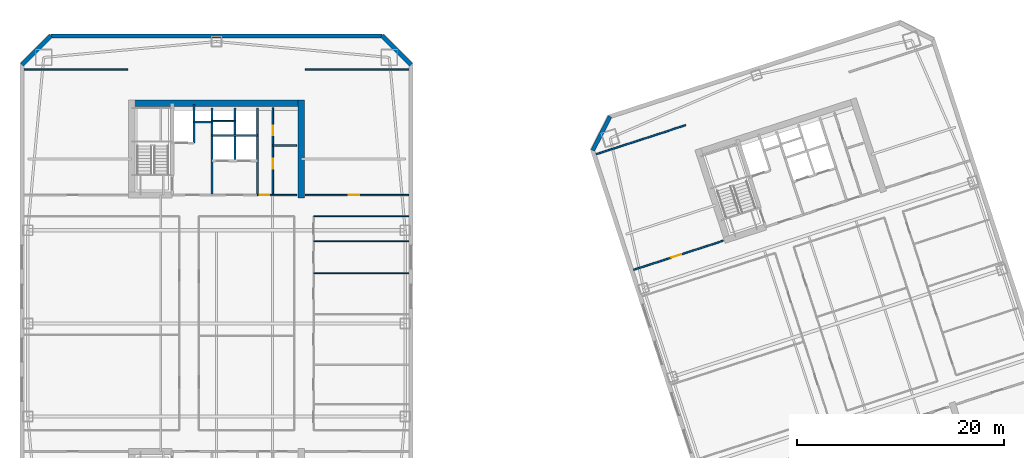
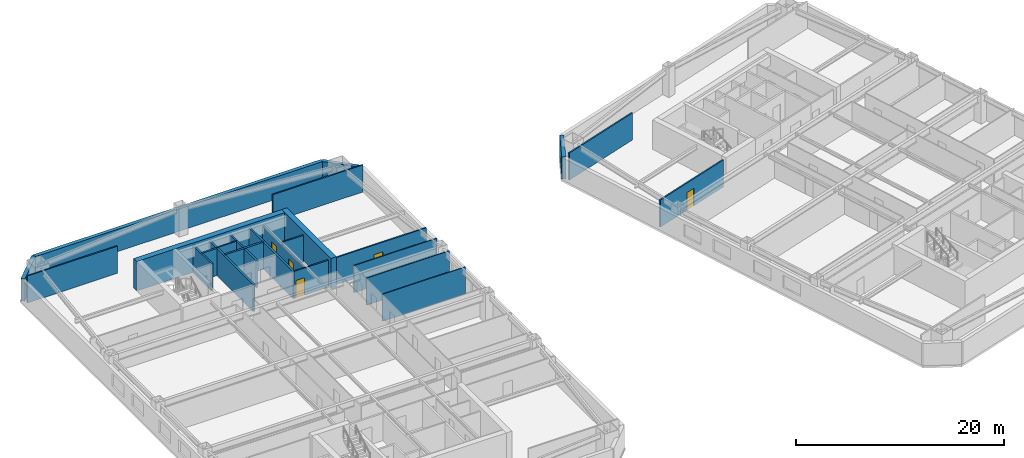
# One storey, part 5 of 10: 24 walls, 5 doors, 5 openings.
"""IFC4 building model written with IfcOpenShell, lengths in metres."""

from ifc_helpers import new_model, si_unit, direction, frame, frame_2d, origin, place, context, subcontext, project, spatial, rectangle, extrude, material, layer, layer_set, type_object, element, fill, save


model = new_model("IFC4")

# Units and contexts
model_context = context("Model", 3, precision=1e-05, world=origin(), true_north=direction((0.0, 1.0)))
body_context = subcontext(model_context, "Body", "Model", "MODEL_VIEW")
ifc_project = project(units=[si_unit("LENGTHUNIT", "METRE"), si_unit("AREAUNIT", "SQUARE_METRE"), si_unit("VOLUMEUNIT", "CUBIC_METRE"), si_unit("PLANEANGLEUNIT", "RADIAN"), si_unit("MASSUNIT", "GRAM", prefix="KILO")], contexts=[model_context])

# Site, building, storey
site_placement = place(None, origin())
site = spatial("IfcSite", under=ifc_project, at=site_placement, CompositionType="ELEMENT")
building_placement = place(site_placement, origin())
building = spatial("IfcBuilding", under=site, at=building_placement, Name="Qiaolan Cultural Towers", CompositionType="ELEMENT")
storey_placement = place(building_placement, frame((0.0, 0.0, 127.64990234375)))
storey = spatial("IfcBuildingStorey", under=building, at=storey_placement, Name="L33", CompositionType="ELEMENT", Elevation=127.64990234375)

# Walls
ifc_material_1 = material(Name="Concrete C55", Category="concrete")
ifc_layer_1 = layer(ifc_material_1, 0.60009765625)
ifc_layer_set_1 = layer_set([ifc_layer_1], Name="Concrete C55")
wall_type_1 = type_object("IfcWallType", Name="WL-CORE-600", PredefinedType="SHEAR", material=ifc_layer_set_1)
wall_1_placement = place(storey_placement, frame((21.5, 55.280029296875, 0.0), z_axis=(0.0, 0.0, 1.0), x_axis=(1.0, 0.0, 0.0)))
element("IfcWall", 1, at=wall_1_placement, inside=storey, type_object=wall_type_1, Name="L33 T1-CN Outer Core Shear Wall", PredefinedType="SHEAR", context=body_context, shape_type="SweptSolid", body=[
    extrude(rectangle(XDim=17.0, YDim=0.60009765625, at=frame_2d((8.5, 0.0))), origin(), (0.0, 0.0, 1.0), 3.4501953125),
])
wall_2_placement = place(storey_placement, frame((38.199951171875, 46.10009765625, 0.0), z_axis=(0.0, 0.0, 1.0), x_axis=(0.0, 1.0, 0.0)))
element("IfcWall", 2, at=wall_2_placement, inside=storey, type_object=wall_type_1, Name="L33 T1-CN East Core Shear Wall", PredefinedType="SHEAR", context=body_context, shape_type="SweptSolid", body=[
    extrude(rectangle(XDim=9.47998046875, YDim=0.60009765625, at=frame_2d((4.739990234375, 0.0))), origin(), (0.0, 0.0, 1.0), 3.4501953125),
])
ifc_material_2 = material(Name="Precast Concrete C50 Honed Stone Pier", Category="masonry")
ifc_layer_2 = layer(ifc_material_2, 0.39990234375)
ifc_layer_set_2 = layer_set([ifc_layer_2], Name="Precast Concrete C50 Honed Stone Pier")
wall_type_2 = type_object("IfcWallType", Name="WL-EXT-PIER-400", PredefinedType="SOLIDWALL", material=ifc_layer_set_2)
wall_3_placement = place(storey_placement, frame((11.199951171875, 59.0, 0.0), z_axis=(0.0, 0.0, 1.0), x_axis=(0.707106781187, 0.707106781187, 0.0)))
element("IfcWall", 3, at=wall_3_placement, inside=storey, type_object=wall_type_2, Name="L33 West Tower Precast Pier Facade Wall F2", PredefinedType="SOLIDWALL", context=body_context, shape_type="SweptSolid", body=[
    extrude(rectangle(XDim=3.9599609375, YDim=0.39990234375, at=frame_2d((1.97998046875, 0.0))), origin(), (0.0, 0.0, 1.0), 2.610107421875),
])
wall_4_placement = place(storey_placement, frame((14.0, 61.800048828125, 0.0), z_axis=(0.0, 0.0, 1.0), x_axis=(1.0, 0.0, 0.0)))
element("IfcWall", 4, at=wall_4_placement, inside=storey, type_object=wall_type_2, Name="L33 West Tower Precast Pier Facade Wall F3", PredefinedType="SOLIDWALL", context=body_context, shape_type="SweptSolid", body=[
    extrude(rectangle(XDim=32.0, YDim=0.39990234375, at=frame_2d((16.0, 0.0))), origin(), (0.0, 0.0, 1.0), 2.610107421875),
])
wall_5_placement = place(storey_placement, frame((46.0, 61.800048828125, 0.0), z_axis=(0.0, 0.0, 1.0), x_axis=(0.707106781187, -0.707106781187, 0.0)))
element("IfcWall", 5, at=wall_5_placement, inside=storey, type_object=wall_type_2, Name="L33 West Tower Precast Pier Facade Wall F4", PredefinedType="SOLIDWALL", context=body_context, shape_type="SweptSolid", body=[
    extrude(rectangle(XDim=3.9599609375, YDim=0.39990234375, at=frame_2d((1.97998046875, 0.0))), origin(), (0.0, 0.0, 1.0), 2.610107421875),
])
wall_6_placement = place(storey_placement, frame((66.37744140625, 50.718505859375, 0.0), z_axis=(0.0, 0.0, 1.0), x_axis=(0.454026238093, 0.890988313685, 0.0)))
element("IfcWall", 6, at=wall_6_placement, inside=storey, type_object=wall_type_2, Name="L33 East Tower Precast Pier Facade Wall F2", PredefinedType="SOLIDWALL", context=body_context, shape_type="SweptSolid", body=[
    extrude(rectangle(XDim=3.677001953125, YDim=0.39990234375, at=frame_2d((1.83837890625, 0.0))), origin(), (0.0, 0.0, 1.0), 2.610107421875),
])
ifc_material_3 = material(Name="Concrete C35 Fire Wall", Category="concrete")
ifc_layer_3 = layer(ifc_material_3, 0.199951171875)
ifc_layer_set_3 = layer_set([ifc_layer_3], Name="Concrete C35 Fire Wall")
wall_type_3 = type_object("IfcWallType", Name="WL-FIRE-200", PredefinedType="PARTITIONING", material=ifc_layer_set_3)
wall_7_placement = place(storey_placement, frame((29.550048828125, 46.39990234375, 0.0), z_axis=(0.0, 0.0, 1.0), x_axis=(0.0, 1.0, 0.0)))
element("IfcWall", 7, at=wall_7_placement, inside=storey, type_object=wall_type_3, Name="L33 T1-CN Firefighting Zone Wall", PredefinedType="PARTITIONING", context=body_context, shape_type="SweptSolid", body=[
    extrude(rectangle(XDim=8.43017578125, YDim=0.199951171875, at=frame_2d((4.215087890625, 0.0))), origin(), (0.0, 0.0, 1.0), 3.175048828125),
])
wall_8_placement = place(storey_placement, frame((27.820068359375, 51.449951171875, 0.0), z_axis=(0.0, 0.0, 1.0), x_axis=(0.0, 1.0, 0.0)))
element("IfcWall", 8, at=wall_8_placement, inside=storey, type_object=wall_type_3, Name="L33 T1-CN Firefighting Hoistway East Wall", PredefinedType="PARTITIONING", context=body_context, shape_type="SweptSolid", body=[
    extrude(rectangle(XDim=3.699951171875, YDim=0.199951171875, at=frame_2d((1.85009765625, 0.0))), origin(), (0.0, 0.0, 1.0), 3.175048828125),
])
wall_9_placement = place(storey_placement, frame((27.820068359375, 53.47998046875, 0.0), z_axis=(0.0, 0.0, 1.0), x_axis=(1.0, 0.0, 0.0)))
element("IfcWall", 9, at=wall_9_placement, inside=storey, type_object=wall_type_3, Name="L33 T1-CN Pressurization Shaft Front Wall", PredefinedType="PARTITIONING", context=body_context, shape_type="SweptSolid", body=[
    extrude(rectangle(XDim=1.72998046875, YDim=0.199951171875, at=frame_2d((0.864990234375, 0.0))), origin(), (0.0, 0.0, 1.0), 3.175048828125),
])
wall_10_placement = place(storey_placement, frame((33.949951171875, 46.39990234375, 0.0), z_axis=(0.0, 0.0, 1.0), x_axis=(0.0, 1.0, 0.0)))
element("IfcWall", 10, at=wall_10_placement, inside=storey, type_object=wall_type_3, Name="L33 T1-CN Lift Core East Wall", PredefinedType="PARTITIONING", context=body_context, shape_type="SweptSolid", body=[
    extrude(rectangle(XDim=8.43017578125, YDim=0.199951171875, at=frame_2d((4.215087890625, 0.0))), origin(), (0.0, 0.0, 1.0), 3.175048828125),
])
wall_11_placement = place(storey_placement, frame((31.780029296875, 49.719970703125, 0.0), z_axis=(0.0, 0.0, 1.0), x_axis=(0.0, 1.0, 0.0)))
element("IfcWall", 11, at=wall_11_placement, inside=storey, type_object=wall_type_3, Name="L33 T1-CN Lift Shaft Divider Wall", PredefinedType="PARTITIONING", context=body_context, shape_type="SweptSolid", body=[
    extrude(rectangle(XDim=5.110107421875, YDim=0.199951171875, at=frame_2d((2.55517578125, 0.0))), origin(), (0.0, 0.0, 1.0), 3.175048828125),
])
wall_12_placement = place(storey_placement, frame((29.550048828125, 52.14990234375, 0.0), z_axis=(0.0, 0.0, 1.0), x_axis=(1.0, 0.0, 0.0)))
element("IfcWall", 12, at=wall_12_placement, inside=storey, type_object=wall_type_3, Name="L33 T1-CN Passenger Lift Shaft Back Wall", PredefinedType="PARTITIONING", context=body_context, shape_type="SweptSolid", body=[
    extrude(rectangle(XDim=4.39990234375, YDim=0.199951171875, at=frame_2d((2.199951171875, 0.0))), origin(), (0.0, 0.0, 1.0), 3.175048828125),
])
ifc_material_4 = material(Name="Acoustic Double-Glazed Partition Frame", Category="glass")
ifc_layer_4 = layer(ifc_material_4, 0.10009765625)
ifc_layer_set_4 = layer_set([ifc_layer_4], Name="Acoustic Double-Glazed Partition Frame")
wall_type_4 = type_object("IfcWallType", Name="WL-GLAZED-100", PredefinedType="MOVABLE", material=ifc_layer_set_4)
for number, where, z_axis, x_axis, name in (
    (13, (39.39990234375, 44.35009765625, 0.0), (0.0, 0.0, 1.0), (1.0, 0.0, 0.0), "L33 T1 Interior Wall"),
    (14, (39.39990234375, 38.8291015625, 0.0), (0.0, 0.0, 1.0), (1.0, 0.0, 0.0), "L33 T1 Interior Wall"),
    (15, (39.39990234375, 41.93408203125, 0.0), (0.0, 0.0, 1.0), (1.0, 0.0, 0.0), "L33 T1 Interior Wall"),
):
    element("IfcWall", number, at=place(storey_placement, frame(where, z_axis=z_axis, x_axis=x_axis)), inside=storey, type_object=wall_type_4, Name=name, PredefinedType="MOVABLE", context=body_context, shape_type="SweptSolid", body=[
        extrude(rectangle(XDim=9.2001953125, YDim=0.10009765625, at=frame_2d((4.60009765625, 0.0))), origin(), (0.0, 0.0, 1.0), 3.175048828125),
    ])
ifc_material_5 = material(Name="Autoclaved Aerated Concrete Block B06", Category="concrete")
ifc_layer_5 = layer(ifc_material_5, 0.14990234375)
ifc_layer_set_5 = layer_set([ifc_layer_5], Name="Autoclaved Aerated Concrete Block B06")
wall_type_5 = type_object("IfcWallType", Name="WL-PART-150", PredefinedType="PARTITIONING", material=ifc_layer_set_5)
wall_13_placement = place(storey_placement, frame((29.550048828125, 53.550048828125, 0.0), z_axis=(0.0, 0.0, 1.0), x_axis=(1.0, 0.0, 0.0)))
element("IfcWall", 16, at=wall_13_placement, inside=storey, type_object=wall_type_5, Name="L33 T1-CN Core Rear Riser Split", PredefinedType="PARTITIONING", context=body_context, shape_type="SweptSolid", body=[
    extrude(rectangle(XDim=2.22998046875, YDim=0.14990234375, at=frame_2d((1.114990234375, 0.0))), origin(), (0.0, 0.0, 1.0), 3.175048828125),
])

# Wall, opening, door
wall_14_placement = place(storey_placement, frame((33.949951171875, 46.39990234375, 0.0), z_axis=(0.0, 0.0, 1.0), x_axis=(1.0, 0.0, 0.0)))
wall_14 = element("IfcWall", 17, at=wall_14_placement, inside=storey, type_object=wall_type_5, Name="L33 T1-CN Sanitary Core Front Wall", PredefinedType="PARTITIONING", context=body_context, shape_type="SweptSolid", body=[
    extrude(rectangle(XDim=3.800048828125, YDim=0.14990234375, at=frame_2d((1.89990234375, 0.0))), origin(), (0.0, 0.0, 1.0), 3.175048828125),
])
opening_1_placement = place(wall_14_placement, frame((0.219970703125, 0.0, 0.0)))
opening_1 = element("IfcOpeningElement", 18, at=opening_1_placement, cuts=wall_14, Name="Opening ID-05", PredefinedType="OPENING", context=body_context, shape_type="SweptSolid", body=[
    extrude(rectangle(XDim=0.949951171875, YDim=2.050048828125, at=frame_2d((0.47509765625, 1.02490234375))), frame((0.0, 0.0849609375, 0.0), z_axis=(0.0, -1.0, 0.0), x_axis=(1.0, 0.0, 0.0)), (0.0, 0.0, 1.0), 0.169921875),
])
ifc_material_6 = material(Name="Fire-Rated Laminate Accessible Core Door", Category="timber")
door_type_1 = type_object("IfcDoorType", Name="DR-INT-950", OperationType="NOTDEFINED", PredefinedType="DOOR", material=ifc_material_6)
door_1_placement = place(opening_1_placement, origin())
door_1 = element("IfcDoor", 19, at=door_1_placement, inside=storey, type_object=door_type_1, Name="L33 Sanitary Lobby Door", OperationType="SINGLE_SWING_LEFT", OverallHeight=2.050048828125, OverallWidth=0.949951171875, PredefinedType="DOOR", context=body_context, shape_type="SweptSolid", body=[
    extrude(rectangle(XDim=0.949951171875, YDim=2.050048828125, at=frame_2d((0.47509765625, 1.02490234375))), frame((0.0, 0.02490234375, 0.0), z_axis=(0.0, -1.0, 0.0), x_axis=(1.0, 0.0, 0.0)), (0.0, 0.0, 1.0), 0.050048828125),
])
fill(opening_1, door_1)

# Wall, openings, doors
wall_15_placement = place(storey_placement, frame((35.449951171875, 46.39990234375, 0.0), z_axis=(0.0, 0.0, 1.0), x_axis=(0.0, 1.0, 0.0)))
wall_15 = element("IfcWall", 20, at=wall_15_placement, inside=storey, type_object=wall_type_5, Name="L33 T1-CN Washroom Split Wall", PredefinedType="PARTITIONING", context=body_context, shape_type="SweptSolid", body=[
    extrude(rectangle(XDim=8.43017578125, YDim=0.14990234375, at=frame_2d((4.215087890625, 0.0))), origin(), (0.0, 0.0, 1.0), 2.815185546875),
])
opening_2_placement = place(wall_15_placement, frame((2.550048828125, 0.0, 0.0)))
opening_2 = element("IfcOpeningElement", 21, at=opening_2_placement, cuts=wall_15, Name="Opening ID-05", PredefinedType="OPENING", context=body_context, shape_type="SweptSolid", body=[
    extrude(rectangle(XDim=0.949951171875, YDim=2.050048828125, at=frame_2d((0.47509765625, 1.02490234375))), frame((0.0, 0.0849609375, 0.0), z_axis=(0.0, -1.0, 0.0), x_axis=(1.0, 0.0, 0.0)), (0.0, 0.0, 1.0), 0.169921875),
])
opening_3_placement = place(wall_15_placement, frame((5.800048828125, 0.0, 0.0)))
opening_3 = element("IfcOpeningElement", 22, at=opening_3_placement, cuts=wall_15, Name="Opening ID-06", PredefinedType="OPENING", context=body_context, shape_type="SweptSolid", body=[
    extrude(rectangle(XDim=0.89990234375, YDim=2.050048828125, at=frame_2d((0.449951171875, 1.02490234375))), frame((0.0, 0.0849609375, 0.0), z_axis=(0.0, -1.0, 0.0), x_axis=(1.0, 0.0, 0.0)), (0.0, 0.0, 1.0), 0.169921875),
])
ifc_material_7 = material(Name="Fire-Rated Laminate Core Service Door", Category="timber")
door_type_2 = type_object("IfcDoorType", Name="DR-INT-900", OperationType="NOTDEFINED", PredefinedType="DOOR", material=ifc_material_7)
door_2_placement = place(opening_3_placement, origin())
door_2 = element("IfcDoor", 23, at=door_2_placement, inside=storey, type_object=door_type_2, Name="L33 First-Aid Room Door", OperationType="SINGLE_SWING_RIGHT", OverallHeight=2.050048828125, OverallWidth=0.89990234375, PredefinedType="DOOR", context=body_context, shape_type="SweptSolid", body=[
    extrude(rectangle(XDim=0.89990234375, YDim=2.050048828125, at=frame_2d((0.449951171875, 1.02490234375))), frame((0.0, 0.02490234375, 0.0), z_axis=(0.0, -1.0, 0.0), x_axis=(1.0, 0.0, 0.0)), (0.0, 0.0, 1.0), 0.050048828125),
])
fill(opening_3, door_2)
door_3_placement = place(opening_2_placement, origin())
door_3 = element("IfcDoor", 24, at=door_3_placement, inside=storey, type_object=door_type_1, Name="L33 Accessible Washroom Door", OperationType="SINGLE_SWING_LEFT", OverallHeight=2.050048828125, OverallWidth=0.949951171875, PredefinedType="DOOR", context=body_context, shape_type="SweptSolid", body=[
    extrude(rectangle(XDim=0.949951171875, YDim=2.050048828125, at=frame_2d((0.47509765625, 1.02490234375))), frame((0.0, 0.02490234375, 0.0), z_axis=(0.0, -1.0, 0.0), x_axis=(1.0, 0.0, 0.0)), (0.0, 0.0, 1.0), 0.050048828125),
])
fill(opening_2, door_3)

# Walls
wall_16_placement = place(storey_placement, frame((35.449951171875, 51.199951171875, 0.0), z_axis=(0.0, 0.0, 1.0), x_axis=(1.0, 0.0, 0.0)))
element("IfcWall", 25, at=wall_16_placement, inside=storey, type_object=wall_type_5, Name="L33 T1-CN First-Aid Wall", PredefinedType="PARTITIONING", context=body_context, shape_type="SweptSolid", body=[
    extrude(rectangle(XDim=2.300048828125, YDim=0.14990234375, at=frame_2d((1.14990234375, 0.0))), origin(), (0.0, 0.0, 1.0), 3.175048828125),
])
for number, where, z_axis, x_axis, name in (
    (26, (11.39990234375, 58.550048828125, 0.0), (0.0, 0.0, 1.0), (1.0, 0.0, 0.0), "L33 T1 Flank Wall FLK-NW"),
    (27, (38.60009765625, 58.550048828125, 0.0), (0.0, 0.0, 1.0), (1.0, 0.0, 0.0), "L33 T1 Flank Wall FLK-NE"),
):
    element("IfcWall", number, at=place(storey_placement, frame(where, z_axis=z_axis, x_axis=x_axis)), inside=storey, type_object=wall_type_5, Name=name, PredefinedType="PARTITIONING", context=body_context, shape_type="SweptSolid", body=[
        extrude(rectangle(XDim=10.0, YDim=0.14990234375, at=frame_2d((5.0, 0.0))), origin(), (0.0, 0.0, 1.0), 3.175048828125),
    ])

# Wall, opening, door
wall_17_placement = place(storey_placement, frame((38.60009765625, 46.39990234375, 0.0), z_axis=(0.0, 0.0, 1.0), x_axis=(1.0, 0.0, 0.0)))
wall_17 = element("IfcWall", 28, at=wall_17_placement, inside=storey, type_object=wall_type_5, Name="L33 T1 Flank Front FLK-NE", PredefinedType="PARTITIONING", context=body_context, shape_type="SweptSolid", body=[
    extrude(rectangle(XDim=10.0, YDim=0.14990234375, at=frame_2d((5.0, 0.0))), origin(), (0.0, 0.0, 1.0), 3.175048828125),
])
opening_4_placement = place(wall_17_placement, frame((4.199951171875, 0.0, 0.0)))
opening_4 = element("IfcOpeningElement", 29, at=opening_4_placement, cuts=wall_17, Name="Opening ID-04", PredefinedType="OPENING", context=body_context, shape_type="SweptSolid", body=[
    extrude(rectangle(XDim=1.0, YDim=2.050048828125, at=frame_2d((0.5, 1.02490234375))), frame((0.0, 0.0849609375, 0.0), z_axis=(0.0, -1.0, 0.0), x_axis=(1.0, 0.0, 0.0)), (0.0, 0.0, 1.0), 0.169921875),
])
ifc_material_8 = material(Name="Oak Veneer Acoustic Office Door", Category="timber")
door_type_3 = type_object("IfcDoorType", Name="DR-INT-1000", OperationType="NOTDEFINED", PredefinedType="DOOR", material=ifc_material_8)
door_4_placement = place(opening_4_placement, origin())
door_4 = element("IfcDoor", 30, at=door_4_placement, inside=storey, type_object=door_type_3, Name="L33 T1 Corner Studio Door", OperationType="SINGLE_SWING_LEFT", OverallHeight=2.050048828125, OverallWidth=1.0, PredefinedType="DOOR", context=body_context, shape_type="SweptSolid", body=[
    extrude(rectangle(XDim=1.0, YDim=2.050048828125, at=frame_2d((0.5, 1.02490234375))), frame((0.0, 0.02490234375, 0.0), z_axis=(0.0, -1.0, 0.0), x_axis=(1.0, 0.0, 0.0)), (0.0, 0.0, 1.0), 0.050048828125),
])
fill(opening_4, door_4)

# Wall
wall_18_placement = place(storey_placement, frame((66.706787109375, 50.352294921875, 0.0), z_axis=(0.0, 0.0, 1.0), x_axis=(0.951057133767, 0.309015093986, 0.0)))
element("IfcWall", 31, at=wall_18_placement, inside=storey, type_object=wall_type_5, Name="L33 T2 Flank Wall FLK-NW", PredefinedType="PARTITIONING", context=body_context, shape_type="SweptSolid", body=[
    extrude(rectangle(XDim=9.099853515625, YDim=0.14990234375, at=frame_2d((4.5498046875, 0.0))), origin(), (0.0, 0.0, 1.0), 3.175048828125),
])

# Wall, opening, door
wall_19_placement = place(storey_placement, frame((70.337646484375, 39.177490234375, 0.0), z_axis=(0.0, 0.0, 1.0), x_axis=(0.951059695568, 0.309007209409, 0.0)))
wall_19 = element("IfcWall", 32, at=wall_19_placement, inside=storey, type_object=wall_type_5, Name="L33 T2 Flank Front FLK-NW", PredefinedType="PARTITIONING", context=body_context, shape_type="SweptSolid", body=[
    extrude(rectangle(XDim=9.10009765625, YDim=0.14990234375, at=frame_2d((4.550048828125, 0.0))), origin(), (0.0, 0.0, 1.0), 3.175048828125),
])
opening_5_placement = place(wall_19_placement, frame((3.822021484375, 0.0, 0.0)))
opening_5 = element("IfcOpeningElement", 33, at=opening_5_placement, cuts=wall_19, Name="Opening ID-04", PredefinedType="OPENING", context=body_context, shape_type="SweptSolid", body=[
    extrude(rectangle(XDim=1.0, YDim=2.050048828125, at=frame_2d((0.5, 1.02490234375))), frame((0.0, 0.0849609375, 0.0), z_axis=(0.0, -1.0, 0.0), x_axis=(1.0, 0.0, 0.0)), (0.0, 0.0, 1.0), 0.169921875),
])
door_5_placement = place(opening_5_placement, origin())
door_5 = element("IfcDoor", 34, at=door_5_placement, inside=storey, type_object=door_type_3, Name="L33 T2 Corner Studio Door", OperationType="SINGLE_SWING_LEFT", OverallHeight=2.050048828125, OverallWidth=1.0, PredefinedType="DOOR", context=body_context, shape_type="SweptSolid", body=[
    extrude(rectangle(XDim=1.0, YDim=2.050048828125, at=frame_2d((0.5, 1.02490234375))), frame((0.0, 0.02490234375, 0.0), z_axis=(0.0, -1.0, 0.0), x_axis=(1.0, 0.0, 0.0)), (0.0, 0.0, 1.0), 0.050048828125),
])
fill(opening_5, door_5)

save(model, "model.ifc")
